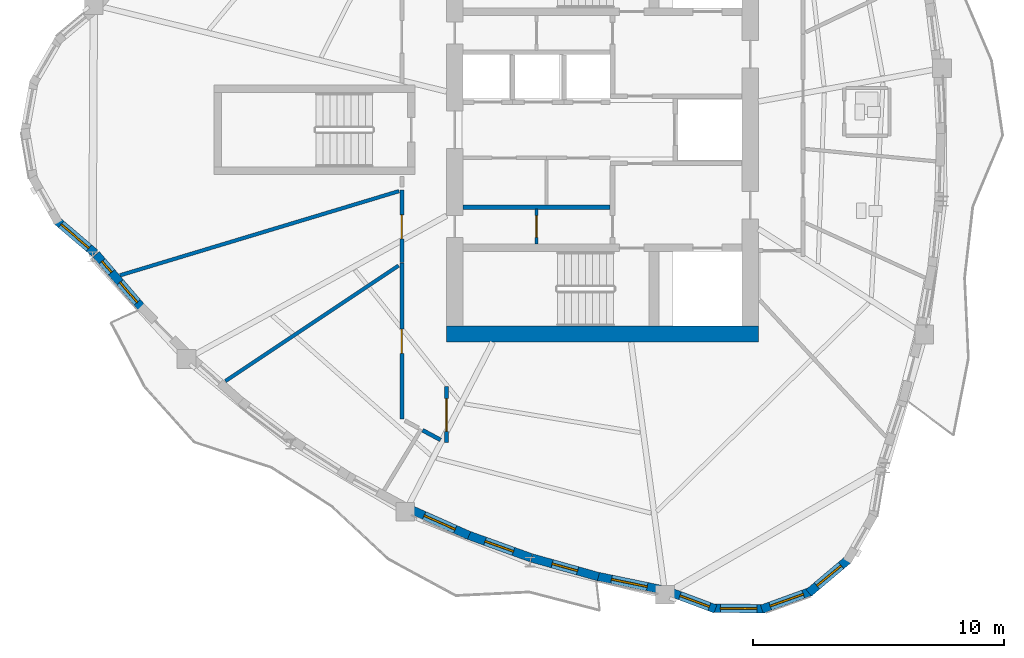
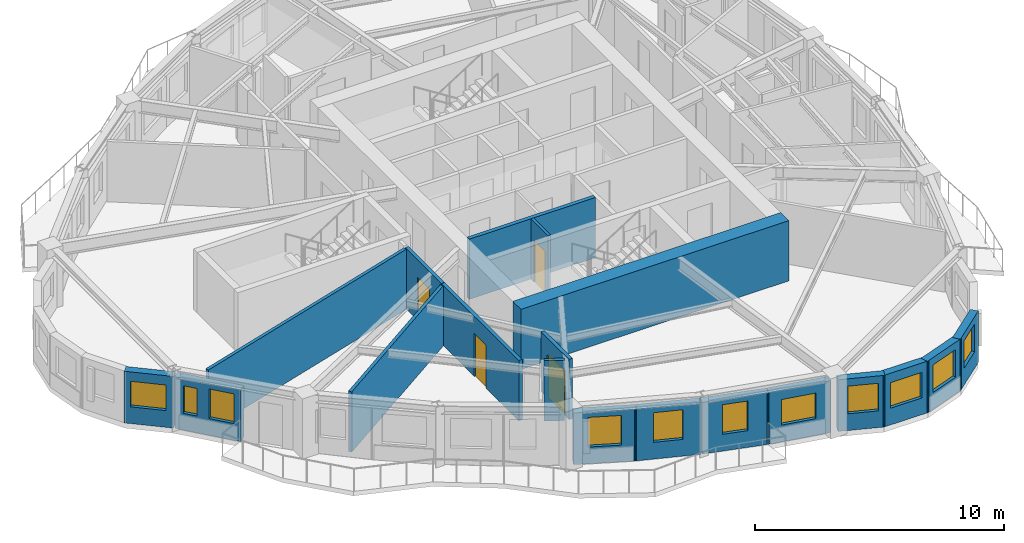
# One storey, part 3 of 12: 19 walls, 11 windows, 4 doors, 15 openings.
"""IFC4 building model written with IfcOpenShell, lengths in metres."""

import ifcopenshell
import ifcopenshell.guid

model = None  # the IFC model being written
_history = None  # IfcOwnerHistory: only IFC2X3 demands one
_inside = {}  # id of a spatial element -> (the spatial element, [elements in it])
_under = {}  # id of a project, library or spatial element -> (it, [spatial elements below it])
_declared = {}  # id of a project -> (the project, [libraries it declares])
_typed = {}  # id of a type object -> (the type object, [elements of that type])
_made_of = {}  # id of a material, layer set ... -> (it, [elements and type objects made of it])


def new_model(schema):
    """Start an empty IFC model of exactly this schema.

    Asked for "IFC4X3", IfcOpenShell would pick the latest addendum, in which some entities
    have other attributes; the version numbers below select the first issue.
    IFC2X3 requires an IfcOwnerHistory on every rooted entity: one is made here for all.
    """
    global model, _history
    if schema == "IFC4X3":
        model = ifcopenshell.file(schema_version=(4, 3, 0, 0))
    else:
        model = ifcopenshell.file(schema=schema)
    _inside.clear()
    _under.clear()
    _declared.clear()
    _typed.clear()
    _made_of.clear()
    _history = None
    if model.schema == "IFC2X3":
        org = make("IfcOrganization", Name="unknown")
        user = make(
            "IfcPersonAndOrganization",
            ThePerson=make("IfcPerson", FamilyName="unknown"),
            TheOrganization=org,
        )
        app = make(
            "IfcApplication",
            ApplicationDeveloper=org,
            Version="unknown",
            ApplicationFullName="unknown",
            ApplicationIdentifier="unknown",
        )
        _history = make(
            "IfcOwnerHistory",
            OwningUser=user,
            OwningApplication=app,
            ChangeAction="ADDED",
            CreationDate=0,
        )
    return model


def make(cls, **values):
    """One entity of the class cls with the attributes given. An attribute that is None is left unset."""
    return model.create_entity(
        cls, **{name: value for name, value in values.items() if value is not None}
    )


def rooted(cls, **values):
    """An entity with a GlobalId (a new one), such as an element, a storey or a relation."""
    return make(cls, GlobalId=ifcopenshell.guid.new(), OwnerHistory=_history, **values)


def si_unit(unit_type, name, prefix=None):
    """IfcSIUnit, for example si_unit("LENGTHUNIT", "METRE", prefix="MILLI")."""
    return make("IfcSIUnit", UnitType=unit_type, Prefix=prefix, Name=name)


def assignment(units):
    """IfcUnitAssignment: the units of a project."""
    return None if units is None else make("IfcUnitAssignment", Units=units)


def point(xyz):
    """IfcCartesianPoint."""
    return None if xyz is None else make("IfcCartesianPoint", Coordinates=xyz)


def direction(xyz):
    """IfcDirection."""
    return None if xyz is None else make("IfcDirection", DirectionRatios=xyz)


def frame(location, z_axis=None, x_axis=None):
    """IfcAxis2Placement3D, a coordinate frame: its origin and axes. An axis left out is left unset."""
    return make(
        "IfcAxis2Placement3D",
        Location=point(location),
        Axis=direction(z_axis),
        RefDirection=direction(x_axis),
    )


def frame_2d(location, x_axis=None):
    """IfcAxis2Placement2D, a coordinate frame in the plane: its origin and x axis."""
    return make(
        "IfcAxis2Placement2D", Location=point(location), RefDirection=direction(x_axis)
    )


def origin():
    """The frame at (0, 0, 0) with its axes left unset."""
    return frame((0.0, 0.0, 0.0))


def place(relative_to, where):
    """IfcLocalPlacement: puts the frame where relative to a parent placement (None: the world)."""
    return make(
        "IfcLocalPlacement", PlacementRelTo=relative_to, RelativePlacement=where
    )


def context(
    kind, dimensions, precision=None, world=None, true_north=None, identifier=None
):
    """IfcGeometricRepresentationContext, for example the 3D "Model" context."""
    return make(
        "IfcGeometricRepresentationContext",
        ContextIdentifier=identifier,
        ContextType=kind,
        CoordinateSpaceDimension=dimensions,
        Precision=precision,
        WorldCoordinateSystem=world,
        TrueNorth=true_north,
    )


def subcontext(parent, identifier, kind, view, scale=None):
    """IfcGeometricRepresentationSubContext, for example "Body" below "Model"."""
    return make(
        "IfcGeometricRepresentationSubContext",
        ContextIdentifier=identifier,
        ContextType=kind,
        ParentContext=parent,
        TargetScale=scale,
        TargetView=view,
    )


def project(units=None, contexts=None):
    """IfcProject with its units and contexts."""
    return rooted(
        "IfcProject",
        Name="project",
        RepresentationContexts=contexts,
        UnitsInContext=assignment(units),
    )


def spatial(cls, under=None, at=None, **own):
    """A site, building, storey or space (cls), placed at a placement, below another one or the project."""
    s = rooted(cls, ObjectPlacement=at, **own)
    if under is not None:
        _under.setdefault(under.id(), (under, []))[1].append(s)
    return s


def profile(cls, at=None, kind="AREA", **sizes):
    """A parametric profile (cls). Its sizes go by their IFC names, for example OverallWidth=200.0."""
    return make(cls, ProfileType=kind, Position=at, **sizes)


def rectangle(**sizes):
    """IfcRectangleProfileDef."""
    return profile("IfcRectangleProfileDef", **sizes)


def extrude(swept, where, along, depth):
    """IfcExtrudedAreaSolid: the profile swept, set in the frame where, extruded along a direction by depth."""
    return make(
        "IfcExtrudedAreaSolid",
        SweptArea=swept,
        Position=where,
        ExtrudedDirection=direction(along),
        Depth=depth,
    )


def shape(context_of_items, identifier, shape_type, items):
    """IfcShapeRepresentation: the items that make up one representation, for example the "Body"."""
    return make(
        "IfcShapeRepresentation",
        ContextOfItems=context_of_items,
        RepresentationIdentifier=identifier,
        RepresentationType=shape_type,
        Items=items,
    )


def source(mapping_origin, context_of_items, identifier, shape_type, items):
    """IfcRepresentationMap: a shape defined once, which mapped items show again and again."""
    return make(
        "IfcRepresentationMap",
        MappingOrigin=mapping_origin,
        MappedRepresentation=shape(context_of_items, identifier, shape_type, items),
    )


def transform(
    local_origin,
    x_axis=None,
    y_axis=None,
    z_axis=None,
    scale=None,
    scale2=None,
    scale3=None,
    uniform=True,
):
    """IfcCartesianTransformationOperator3D, or its non-uniform kind. x_axis, y_axis, z_axis: its Axis1, 2, 3."""
    if uniform:
        return make(
            "IfcCartesianTransformationOperator3D",
            Axis1=direction(x_axis),
            Axis2=direction(y_axis),
            LocalOrigin=point(local_origin),
            Scale=scale,
            Axis3=direction(z_axis),
        )
    return make(
        "IfcCartesianTransformationOperator3DnonUniform",
        Axis1=direction(x_axis),
        Axis2=direction(y_axis),
        LocalOrigin=point(local_origin),
        Scale=scale,
        Axis3=direction(z_axis),
        Scale2=scale2,
        Scale3=scale3,
    )


def mapped(mapping_source, mapping_target):
    """IfcMappedItem: shows the shape of a source again, moved by a transform."""
    return make(
        "IfcMappedItem", MappingSource=mapping_source, MappingTarget=mapping_target
    )


def material(Name=None, Category=None):
    """IfcMaterial."""
    return make("IfcMaterial", Name=Name, Category=Category)


def layer(
    of_material, thickness, ventilated=None, Name=None, Category=None, Priority=None
):
    """IfcMaterialLayer: one layer of a wall or slab, of a material (None: an air gap)."""
    return make(
        "IfcMaterialLayer",
        Material=of_material,
        LayerThickness=thickness,
        IsVentilated=ventilated,
        Name=Name,
        Category=Category,
        Priority=Priority,
    )


def layer_set(layers, Name=None):
    """IfcMaterialLayerSet."""
    return make("IfcMaterialLayerSet", MaterialLayers=layers, LayerSetName=Name)


def made_of(thing, what):
    """Note that an element or type object is made of a material, layer set ...; save() writes the relation."""
    if what is not None:
        _made_of.setdefault(what.id(), (what, []))[1].append(thing)
    return thing


def type_object(cls, material=None, **own):
    """A type object (cls), such as IfcWallType, which elements share."""
    return made_of(rooted(cls, **own), material)


def element(
    cls,
    number,
    at=None,
    inside=None,
    cuts=None,
    type_object=None,
    material=None,
    context=None,
    identifier="Body",
    shape_type=None,
    held_by="IfcProductDefinitionShape",
    body=None,
    shapes=None,
    **own,
):
    """One element of the class cls, such as IfcWall. Its Tag is "e" and its number.

    at: its placement. inside: the storey or other place that contains it. cuts: it is an
    opening in that element (IfcRelVoidsElement). A single representation is given by context,
    identifier, shape_type and body (its items); several are given by shapes. held_by: the class
    of the entity that holds the representations. save() writes the other relations.
    """
    e = rooted(cls, Tag="e%d" % number, ObjectPlacement=at, **own)
    if body is not None:
        shapes = [shape(context, identifier, shape_type, body)]
    if shapes is not None:
        e.Representation = make(held_by, Representations=shapes)
    if inside is not None:
        _inside.setdefault(inside.id(), (inside, []))[1].append(e)
    if cuts is not None:
        rooted(
            "IfcRelVoidsElement", RelatingBuildingElement=cuts, RelatedOpeningElement=e
        )
    if type_object is not None:
        _typed.setdefault(type_object.id(), (type_object, []))[1].append(e)
    return made_of(e, material)


def fill(opening, filler):
    """IfcRelFillsElement: the door or window that sits in an opening."""
    return rooted(
        "IfcRelFillsElement",
        RelatingOpeningElement=opening,
        RelatedBuildingElement=filler,
    )


def aggregate(whole, parts):
    """IfcRelAggregates: a whole, such as a stair, and the parts it consists of."""
    return rooted("IfcRelAggregates", RelatingObject=whole, RelatedObjects=parts)


def save(model, path):
    """Write the relations noted so far, then the file.

    IfcRelAggregates (storeys below a building ...), IfcRelContainedInSpatialStructure (elements
    in a storey), IfcRelDefinesByType, IfcRelAssociatesMaterial and IfcRelDeclares: one each for
    every whole, place, type object, material and project.
    """
    for whole, parts in _under.values():
        aggregate(whole, parts)
    for where, things in _inside.values():
        rooted(
            "IfcRelContainedInSpatialStructure",
            RelatedElements=things,
            RelatingStructure=where,
        )
    for kind, things in _typed.values():
        rooted("IfcRelDefinesByType", RelatedObjects=things, RelatingType=kind)
    for what, things in _made_of.values():
        rooted("IfcRelAssociatesMaterial", RelatedObjects=things, RelatingMaterial=what)
    for by, libraries in _declared.values():
        rooted("IfcRelDeclares", RelatingContext=by, RelatedDefinitions=libraries)
    model.write(path)


model = new_model("IFC4")

# Units and contexts
model_context = context("Model", 3, precision=1e-05, world=origin(), true_north=direction((0.0, 1.0)))
body_context = subcontext(model_context, "Body", "Model", "MODEL_VIEW")
ifc_project = project(units=[si_unit("LENGTHUNIT", "METRE"), si_unit("AREAUNIT", "SQUARE_METRE"), si_unit("VOLUMEUNIT", "CUBIC_METRE"), si_unit("PLANEANGLEUNIT", "RADIAN"), si_unit("MASSUNIT", "GRAM", prefix="KILO")], contexts=[model_context])

# Site, building, storey
site_placement = place(None, origin())
site = spatial("IfcSite", under=ifc_project, at=site_placement, CompositionType="ELEMENT")
building_placement = place(site_placement, origin())
building = spatial("IfcBuilding", under=site, at=building_placement, Name="Qafzar Sky-Pleat Residences", CompositionType="ELEMENT")
storey_placement = place(building_placement, frame((0.0, 0.0, 142.60009765625)))
storey = spatial("IfcBuildingStorey", under=building, at=storey_placement, Name="L42", CompositionType="ELEMENT", Elevation=142.60009765625)

# Wall, opening, door
ifc_material_1 = material(Name="Acoustic gypsum plasterboard partition", Category="gypsum")
ifc_layer_1 = layer(ifc_material_1, 0.159912109375)
ifc_layer_set_1 = layer_set([ifc_layer_1], Name="Acoustic gypsum plasterboard partition")
wall_type_1 = type_object("IfcWallType", Name="PART-COR-160", PredefinedType="PARTITIONING", material=ifc_layer_set_1)
wall_1_placement = place(storey_placement, frame((22.3701171875, 14.49609375, 0.0), z_axis=(0.0, 0.0, 1.0), x_axis=(0.0, 1.0, 0.0)))
wall_1 = element("IfcWall", 1, at=wall_1_placement, inside=storey, type_object=wall_type_1, Name="L42 Partition Wall PART-L42-PW-001", PredefinedType="PARTITIONING", context=body_context, shape_type="SweptSolid", body=[
    extrude(rectangle(XDim=6.202880859375, YDim=0.159912109375, at=frame_2d((3.1015625, 0.0))), origin(), (0.0, 0.0, 1.0), 2.949951171875),
])
opening_1_placement = place(wall_1_placement, frame((2.612548828125, 0.0, 0.0)))
opening_1 = element("IfcOpeningElement", 2, at=opening_1_placement, cuts=wall_1, Name="Opening ID-06", PredefinedType="OPENING", context=body_context, shape_type="SweptSolid", body=[
    extrude(rectangle(XDim=0.9599609375, YDim=2.10009765625, at=frame_2d((0.47998046875, 1.050048828125))), frame((0.0, 0.08984375, 0.0), z_axis=(0.0, -1.0, 0.0), x_axis=(1.0, 0.0, 0.0)), (0.0, 0.0, 1.0), 0.179931640625),
])
ifc_material_2 = material(Name="Timber-faced fire door", Category="wood")
door_type_1 = type_object("IfcDoorType", Name="DR-STD-960", OperationType="NOTDEFINED", PredefinedType="DOOR", material=ifc_material_2)
shared_shape_1 = source(origin(), body_context, "Body", "SweptSolid", [
    extrude(rectangle(XDim=0.9599609375, YDim=2.10009765625, at=frame_2d((0.47998046875, 1.050048828125))), frame((0.0, 0.02490234375, 0.0), z_axis=(0.0, -1.0, 0.0), x_axis=(1.0, 0.0, 0.0)), (0.0, 0.0, 1.0), 0.050048828125),
])
door_1_placement = place(opening_1_placement, origin())
door_1 = element("IfcDoor", 3, at=door_1_placement, inside=storey, type_object=door_type_1, Name="L42 Wellness Yoga Studio Door", OperationType="SINGLE_SWING_LEFT", OverallHeight=2.10009765625, OverallWidth=0.9599609375, PredefinedType="DOOR", context=body_context, shape_type="MappedRepresentation", body=[
    mapped(shared_shape_1, transform((0.0, 0.0, 0.0), x_axis=(1.0, 0.0, 0.0), y_axis=(0.0, 1.0, 0.0), z_axis=(0.0, 0.0, 1.0), scale=1.0)),
])
fill(opening_1, door_1)

wall_2_placement = place(storey_placement, frame((22.3701171875, 20.714111328125, 0.0), z_axis=(0.0, 0.0, 1.0), x_axis=(0.0, 1.0, 0.0)))
wall_2 = element("IfcWall", 4, at=wall_2_placement, inside=storey, type_object=wall_type_1, Name="L42 Partition Wall PART-L42-PW-008", PredefinedType="PARTITIONING", context=body_context, shape_type="SweptSolid", body=[
    extrude(rectangle(XDim=2.893798828125, YDim=0.159912109375, at=frame_2d((1.44677734375, 0.0))), origin(), (0.0, 0.0, 1.0), 2.949951171875),
])
opening_2_placement = place(wall_2_placement, frame((0.9423828125, 0.0, 0.0)))
opening_2 = element("IfcOpeningElement", 5, at=opening_2_placement, cuts=wall_2, Name="Opening ID-06", PredefinedType="OPENING", context=body_context, shape_type="SweptSolid", body=[
    extrude(rectangle(XDim=0.9599609375, YDim=2.10009765625, at=frame_2d((0.47998046875, 1.050048828125))), frame((0.0, 0.08984375, 0.0), z_axis=(0.0, -1.0, 0.0), x_axis=(1.0, 0.0, 0.0)), (0.0, 0.0, 1.0), 0.179931640625),
])
door_2_placement = place(opening_2_placement, origin())
door_2 = element("IfcDoor", 6, at=door_2_placement, inside=storey, type_object=door_type_1, Name="L42 Faculty Research Office Door", OperationType="SINGLE_SWING_RIGHT", OverallHeight=2.10009765625, OverallWidth=0.9599609375, PredefinedType="DOOR", context=body_context, shape_type="MappedRepresentation", body=[
    mapped(shared_shape_1, transform((0.0, 0.0, 0.0), x_axis=(1.0, 0.0, 0.0), y_axis=(0.0, 1.0, 0.0), z_axis=(0.0, 0.0, 1.0), scale=1.0)),
])
fill(opening_2, door_2)

wall_3_placement = place(storey_placement, frame((24.14990234375, 15.7880859375, 0.0), z_axis=(0.0, 0.0, 1.0), x_axis=(0.0, -1.0, 0.0)))
wall_3 = element("IfcWall", 7, at=wall_3_placement, inside=storey, type_object=wall_type_1, Name="L42 Partition Wall PART-L42-PW-011", PredefinedType="PARTITIONING", context=body_context, shape_type="SweptSolid", body=[
    extrude(rectangle(XDim=2.231201171875, YDim=0.159912109375, at=frame_2d((1.11572265625, 0.0))), origin(), (0.0, 0.0, 1.0), 2.949951171875),
])
opening_3_placement = place(wall_3_placement, frame((0.47998046875, 0.0, 0.0)))
opening_3 = element("IfcOpeningElement", 8, at=opening_3_placement, cuts=wall_3, Name="Opening ID-05", PredefinedType="OPENING", context=body_context, shape_type="SweptSolid", body=[
    extrude(rectangle(XDim=1.300048828125, YDim=2.10009765625, at=frame_2d((0.64990234375, 1.050048828125))), frame((0.0, 0.08984375, 0.0), z_axis=(0.0, -1.0, 0.0), x_axis=(1.0, 0.0, 0.0)), (0.0, 0.0, 1.0), 0.179931640625),
])
door_type_2 = type_object("IfcDoorType", Name="DR-LNG-1300", OperationType="DOUBLE_DOOR_SINGLE_SWING", PredefinedType="DOOR", material=ifc_material_2)
shared_shape_2 = source(origin(), body_context, "Body", "SweptSolid", [
    extrude(rectangle(XDim=1.300048828125, YDim=2.10009765625, at=frame_2d((0.64990234375, 1.050048828125))), frame((0.0, 0.02490234375, 0.0), z_axis=(0.0, -1.0, 0.0), x_axis=(1.0, 0.0, 0.0)), (0.0, 0.0, 1.0), 0.050048828125),
])
door_3_placement = place(opening_3_placement, origin())
door_3 = element("IfcDoor", 9, at=door_3_placement, inside=storey, type_object=door_type_2, Name="L42 Academic Seminar Room Door", OperationType="DOUBLE_DOOR_SINGLE_SWING", OverallHeight=2.10009765625, OverallWidth=1.300048828125, PredefinedType="DOOR", context=body_context, shape_type="MappedRepresentation", body=[
    mapped(shared_shape_2, transform((0.0, 0.0, 0.0), x_axis=(1.0, 0.0, 0.0), y_axis=(0.0, 1.0, 0.0), z_axis=(0.0, 0.0, 1.0), scale=1.0)),
])
fill(opening_3, door_3)

# Walls
wall_4_placement = place(storey_placement, frame((23.1962890625, 14.0498046875, 0.0), z_axis=(0.0, 0.0, 1.0), x_axis=(0.880125284311, -0.474741491673, 0.0)))
element("IfcWall", 10, at=wall_4_placement, inside=storey, type_object=wall_type_1, Name="L42 Partition Wall PART-L42-PW-040", PredefinedType="PARTITIONING", context=body_context, shape_type="SweptSolid", body=[
    extrude(rectangle(XDim=0.816650390625, YDim=0.159912109375, at=frame_2d((0.408203125, 0.0))), origin(), (0.0, 0.0, 1.0), 2.949951171875),
])
ifc_material_3 = material(Name="Concrete blockwork partition", Category="masonry")
ifc_layer_2 = layer(ifc_material_3, 0.179931640625)
ifc_layer_set_2 = layer_set([ifc_layer_2], Name="Concrete blockwork partition")
wall_type_2 = type_object("IfcWallType", Name="PART-SHAFT-180", PredefinedType="PARTITIONING", material=ifc_layer_set_2)
wall_5_placement = place(storey_placement, frame((24.81005859375, 22.919921875, 0.0), z_axis=(0.0, 0.0, 1.0), x_axis=(1.0, 0.0, 0.0)))
element("IfcWall", 11, at=wall_5_placement, inside=storey, type_object=wall_type_2, Name="L42 Partition Wall PART-L42-P13-S", PredefinedType="PARTITIONING", context=body_context, shape_type="SweptSolid", body=[
    extrude(rectangle(XDim=5.83984375, YDim=0.179931640625, at=frame_2d((2.919921875, 0.0))), origin(), (0.0, 0.0, 1.0), 2.949951171875),
])

# Wall, opening, door
ifc_material_4 = material(Name="Gypsum plasterboard partition", Category="gypsum")
ifc_layer_3 = layer(ifc_material_4, 0.114990234375)
ifc_layer_set_3 = layer_set([ifc_layer_3], Name="Gypsum plasterboard partition")
wall_type_3 = type_object("IfcWallType", Name="PART-SVC-115", PredefinedType="PARTITIONING", material=ifc_layer_set_3)
wall_6_placement = place(storey_placement, frame((27.72509765625, 21.4599609375, 0.0), z_axis=(0.0, 0.0, 1.0), x_axis=(0.0, 1.0, 0.0)))
wall_6 = element("IfcWall", 12, at=wall_6_placement, inside=storey, type_object=wall_type_3, Name="L42 Partition Wall PART-L42-KB-SW", PredefinedType="PARTITIONING", context=body_context, shape_type="SweptSolid", body=[
    extrude(rectangle(XDim=1.380126953125, YDim=0.114990234375, at=frame_2d((0.68994140625, 0.0))), origin(), (0.0, 0.0, 1.0), 2.949951171875),
])
opening_4_placement = place(wall_6_placement, frame((0.260009765625, 0.0, 0.0)))
opening_4 = element("IfcOpeningElement", 13, at=opening_4_placement, cuts=wall_6, Name="Opening ID-09", PredefinedType="OPENING", context=body_context, shape_type="SweptSolid", body=[
    extrude(rectangle(XDim=0.860107421875, YDim=2.050048828125, at=frame_2d((0.43017578125, 1.02490234375))), frame((0.0, 0.0673828125, 0.0), z_axis=(0.0, -1.0, 0.0), x_axis=(1.0, 0.0, 0.0)), (0.0, 0.0, 1.0), 0.135009765625),
])
door_type_3 = type_object("IfcDoorType", Name="DR-SVC-860", OperationType="NOTDEFINED", PredefinedType="DOOR", material=ifc_material_2)
shared_shape_3 = source(origin(), body_context, "Body", "SweptSolid", [
    extrude(rectangle(XDim=0.860107421875, YDim=2.050048828125, at=frame_2d((0.43017578125, 1.02490234375))), frame((0.0, 0.02490234375, 0.0), z_axis=(0.0, -1.0, 0.0), x_axis=(1.0, 0.0, 0.0)), (0.0, 0.0, 1.0), 0.050048828125),
])
door_4_placement = place(opening_4_placement, origin())
door_4 = element("IfcDoor", 14, at=door_4_placement, inside=storey, type_object=door_type_3, Name="L42 BMS Metering Cupboard Door", OperationType="SINGLE_SWING_LEFT", OverallHeight=2.050048828125, OverallWidth=0.860107421875, PredefinedType="DOOR", context=body_context, shape_type="MappedRepresentation", body=[
    mapped(shared_shape_3, transform((0.0, 0.0, 0.0), x_axis=(1.0, 0.0, 0.0), y_axis=(0.0, 1.0, 0.0), z_axis=(0.0, 0.0, 1.0), scale=1.0)),
])
fill(opening_4, door_4)

# Walls
ifc_layer_4 = layer(ifc_material_1, 0.14501953125)
ifc_layer_set_4 = layer_set([ifc_layer_4], Name="Acoustic gypsum plasterboard partition")
wall_type_4 = type_object("IfcWallType", Name="PART-UNIT-145", PredefinedType="PARTITIONING", material=ifc_layer_set_4)
wall_7_placement = place(storey_placement, frame((11.165283203125, 20.210693359375, 0.0), z_axis=(0.0, 0.0, 1.0), x_axis=(0.957361241888, 0.288893496865, 0.0)))
element("IfcWall", 15, at=wall_7_placement, inside=storey, type_object=wall_type_4, Name="L42 Partition Wall PART-L42-PW-015", PredefinedType="PARTITIONING", context=body_context, shape_type="SweptSolid", body=[
    extrude(rectangle(XDim=11.59033203125, YDim=0.14501953125, at=frame_2d((5.795166015625, 0.0))), origin(), (0.0, 0.0, 1.0), 2.949951171875),
])
wall_8_placement = place(storey_placement, frame((15.355224609375, 16.0048828125, 0.0), z_axis=(0.0, 0.0, 1.0), x_axis=(0.83207298021, 0.55466616591, 0.0)))
element("IfcWall", 16, at=wall_8_placement, inside=storey, type_object=wall_type_4, Name="L42 Partition Wall PART-L42-PW-017", PredefinedType="PARTITIONING", context=body_context, shape_type="SweptSolid", body=[
    extrude(rectangle(XDim=8.278076171875, YDim=0.14501953125, at=frame_2d((4.13916015625, 0.0))), origin(), (0.0, 0.0, 1.0), 2.949951171875),
])

# Wall, opening, window
ifc_material_5 = material(Name="Precast concrete C40/50 with honed Riyadh limestone", Category="concrete")
ifc_layer_5 = layer(ifc_material_5, 0.340087890625)
ifc_layer_set_5 = layer_set([ifc_layer_5], Name="Precast concrete C40/50 with honed Riyadh limestone")
wall_type_5 = type_object("IfcWallType", Name="WALL-EXT-340", PredefinedType="SOLIDWALL", material=ifc_layer_set_5)
wall_9_placement = place(storey_placement, frame((8.62744140625, 22.406005859375, 0.0), z_axis=(0.0, 0.0, 1.0), x_axis=(0.760379886087, -0.649478582276, 0.0)))
wall_9 = element("IfcWall", 17, at=wall_9_placement, inside=storey, type_object=wall_type_5, Name="L42 Limestone Facade Wall 6", PredefinedType="SOLIDWALL", context=body_context, shape_type="SweptSolid", body=[
    extrude(rectangle(XDim=2.023193359375, YDim=0.340087890625, at=frame_2d((1.01171875, 0.0))), origin(), (0.0, 0.0, 1.0), 2.52978515625),
])
opening_5_placement = place(wall_9_placement, frame((0.256591796875, 0.0, 0.820068359375)))
opening_5 = element("IfcOpeningElement", 18, at=opening_5_placement, cuts=wall_9, Name="Opening WN-15", PredefinedType="OPENING", context=body_context, shape_type="SweptSolid", body=[
    extrude(rectangle(XDim=1.449951171875, YDim=1.25, at=frame_2d((0.72509765625, 0.625))), frame((0.0, 0.18017578125, 0.0), z_axis=(0.0, -1.0, 0.0), x_axis=(1.0, 0.0, 0.0)), (0.0, 0.0, 1.0), 0.360107421875),
])
ifc_material_6 = material(Name="Solar-control low-E glass in bronze aluminium frame", Category="glass")
window_type_1 = type_object("IfcWindowType", Name="WIN-15", PartitioningType="SINGLE_PANEL", PredefinedType="WINDOW", material=ifc_material_6)
shared_shape_4 = source(origin(), body_context, "Body", "SweptSolid", [
    extrude(rectangle(XDim=1.449951171875, YDim=1.25, at=frame_2d((0.72509765625, 0.625))), frame((0.0, 0.030029296875, 0.0), z_axis=(0.0, -1.0, 0.0), x_axis=(1.0, 0.0, 0.0)), (0.0, 0.0, 1.0), 0.06005859375),
])
window_1_placement = place(opening_5_placement, origin())
window_1 = element("IfcWindow", 19, at=window_1_placement, inside=storey, type_object=window_type_1, Name="L42 Punched Facade Window 06", OverallHeight=1.25, OverallWidth=1.449951171875, PartitioningType="SINGLE_PANEL", PredefinedType="WINDOW", context=body_context, shape_type="MappedRepresentation", body=[
    mapped(shared_shape_4, transform((0.0, 0.0, 0.0), x_axis=(1.0, 0.0, 0.0), y_axis=(0.0, 1.0, 0.0), z_axis=(0.0, 0.0, 1.0), scale=1.0)),
])
fill(opening_5, window_1)

# Wall, openings, windows
wall_10_placement = place(storey_placement, frame((10.212646484375, 21.045166015625, 0.0), z_axis=(0.0, 0.0, 1.0), x_axis=(0.65036245252, -0.759624038819, 0.0)))
wall_10 = element("IfcWall", 20, at=wall_10_placement, inside=storey, type_object=wall_type_5, Name="L42 Limestone Facade Wall 7", PredefinedType="SOLIDWALL", context=body_context, shape_type="SweptSolid", body=[
    extrude(rectangle(XDim=2.813232421875, YDim=0.340087890625, at=frame_2d((1.40673828125, 0.0))), origin(), (0.0, 0.0, 1.0), 2.52978515625),
])
opening_6_placement = place(wall_10_placement, frame((0.362060546875, 0.0, 0.820068359375)))
opening_6 = element("IfcOpeningElement", 21, at=opening_6_placement, cuts=wall_10, Name="Opening WN-17", PredefinedType="OPENING", context=body_context, shape_type="SweptSolid", body=[
    extrude(rectangle(XDim=0.580078125, YDim=1.35009765625, at=frame_2d((0.2900390625, 0.675048828125))), frame((0.0, 0.18017578125, 0.0), z_axis=(0.0, -1.0, 0.0), x_axis=(1.0, 0.0, 0.0)), (0.0, 0.0, 1.0), 0.360107421875),
])
opening_7_placement = place(wall_10_placement, frame((1.46337890625, 0.0, 0.820068359375)))
opening_7 = element("IfcOpeningElement", 22, at=opening_7_placement, cuts=wall_10, Name="Opening WN-06", PredefinedType="OPENING", context=body_context, shape_type="SweptSolid", body=[
    extrude(rectangle(XDim=1.050048828125, YDim=1.449951171875, at=frame_2d((0.52490234375, 0.72509765625))), frame((0.0, 0.18017578125, 0.0), z_axis=(0.0, -1.0, 0.0), x_axis=(1.0, 0.0, 0.0)), (0.0, 0.0, 1.0), 0.360107421875),
])
window_type_2 = type_object("IfcWindowType", Name="WIN-17", PartitioningType="SINGLE_PANEL", PredefinedType="WINDOW", material=ifc_material_6)
shared_shape_5 = source(origin(), body_context, "Body", "SweptSolid", [
    extrude(rectangle(XDim=0.580078125, YDim=1.35009765625, at=frame_2d((0.2900390625, 0.675048828125))), frame((0.0, 0.030029296875, 0.0), z_axis=(0.0, -1.0, 0.0), x_axis=(1.0, 0.0, 0.0)), (0.0, 0.0, 1.0), 0.06005859375),
])
window_2_placement = place(opening_6_placement, origin())
window_2 = element("IfcWindow", 23, at=window_2_placement, inside=storey, type_object=window_type_2, Name="L42 Punched Facade Window 07", OverallHeight=1.35009765625, OverallWidth=0.580078125, PartitioningType="SINGLE_PANEL", PredefinedType="WINDOW", context=body_context, shape_type="MappedRepresentation", body=[
    mapped(shared_shape_5, transform((0.0, 0.0, 0.0), x_axis=(1.0, 0.0, 0.0), y_axis=(0.0, 1.0, 0.0), z_axis=(0.0, 0.0, 1.0), scale=1.0)),
])
fill(opening_6, window_2)
window_type_3 = type_object("IfcWindowType", Name="WIN-06", PartitioningType="SINGLE_PANEL", PredefinedType="WINDOW", material=ifc_material_6)
shared_shape_6 = source(origin(), body_context, "Body", "SweptSolid", [
    extrude(rectangle(XDim=1.050048828125, YDim=1.449951171875, at=frame_2d((0.52490234375, 0.72509765625))), frame((0.0, 0.030029296875, 0.0), z_axis=(0.0, -1.0, 0.0), x_axis=(1.0, 0.0, 0.0)), (0.0, 0.0, 1.0), 0.06005859375),
])
window_3_placement = place(opening_7_placement, origin())
window_3 = element("IfcWindow", 24, at=window_3_placement, inside=storey, type_object=window_type_3, Name="L42 Punched Facade Window 07-2", OverallHeight=1.449951171875, OverallWidth=1.050048828125, PartitioningType="SINGLE_PANEL", PredefinedType="WINDOW", context=body_context, shape_type="MappedRepresentation", body=[
    mapped(shared_shape_6, transform((0.0, 0.0, 0.0), x_axis=(1.0, 0.0, 0.0), y_axis=(0.0, 1.0, 0.0), z_axis=(0.0, 0.0, 1.0), scale=1.0)),
])
fill(opening_7, window_3)

# Wall, opening, window
wall_11_placement = place(storey_placement, frame((22.72021484375, 10.898681640625, 0.0), z_axis=(0.0, 0.0, 1.0), x_axis=(0.913229052506, -0.407446558041, 0.0)))
wall_11 = element("IfcWall", 25, at=wall_11_placement, inside=storey, type_object=wall_type_5, Name="L42 Limestone Facade Wall 13", PredefinedType="SOLIDWALL", context=body_context, shape_type="SweptSolid", body=[
    extrude(rectangle(XDim=2.544677734375, YDim=0.340087890625, at=frame_2d((1.2724609375, 0.0))), origin(), (0.0, 0.0, 1.0), 2.52978515625),
])
opening_8_placement = place(wall_11_placement, frame((0.59228515625, 0.0, 0.820068359375)))
opening_8 = element("IfcOpeningElement", 26, at=opening_8_placement, cuts=wall_11, Name="Opening WN-04", PredefinedType="OPENING", context=body_context, shape_type="SweptSolid", body=[
    extrude(rectangle(XDim=1.35009765625, YDim=1.449951171875, at=frame_2d((0.675048828125, 0.72509765625))), frame((0.0, 0.18017578125, 0.0), z_axis=(0.0, -1.0, 0.0), x_axis=(1.0, 0.0, 0.0)), (0.0, 0.0, 1.0), 0.360107421875),
])
window_type_4 = type_object("IfcWindowType", Name="WIN-04", PartitioningType="SINGLE_PANEL", PredefinedType="WINDOW", material=ifc_material_6)
shared_shape_7 = source(origin(), body_context, "Body", "SweptSolid", [
    extrude(rectangle(XDim=1.35009765625, YDim=1.449951171875, at=frame_2d((0.675048828125, 0.72509765625))), frame((0.0, 0.030029296875, 0.0), z_axis=(0.0, -1.0, 0.0), x_axis=(1.0, 0.0, 0.0)), (0.0, 0.0, 1.0), 0.06005859375),
])
window_4_placement = place(opening_8_placement, origin())
window_4 = element("IfcWindow", 27, at=window_4_placement, inside=storey, type_object=window_type_4, Name="L42 Punched Facade Window 13", OverallHeight=1.449951171875, OverallWidth=1.35009765625, PartitioningType="SINGLE_PANEL", PredefinedType="WINDOW", context=body_context, shape_type="MappedRepresentation", body=[
    mapped(shared_shape_7, transform((0.0, 0.0, 0.0), x_axis=(1.0, 0.0, 0.0), y_axis=(0.0, 1.0, 0.0), z_axis=(0.0, 0.0, 1.0), scale=1.0)),
])
fill(opening_8, window_4)

wall_12_placement = place(storey_placement, frame((24.9619140625, 9.894775390625, 0.0), z_axis=(0.0, 0.0, 1.0), x_axis=(0.940882818042, -0.338732228632, 0.0)))
wall_12 = element("IfcWall", 28, at=wall_12_placement, inside=storey, type_object=wall_type_5, Name="L42 Limestone Facade Wall 14", PredefinedType="SOLIDWALL", context=body_context, shape_type="SweptSolid", body=[
    extrude(rectangle(XDim=2.7099609375, YDim=0.340087890625, at=frame_2d((1.35498046875, 0.0))), origin(), (0.0, 0.0, 1.0), 2.52978515625),
])
opening_9_placement = place(wall_12_placement, frame((0.764892578125, 0.0, 0.820068359375)))
opening_9 = element("IfcOpeningElement", 29, at=opening_9_placement, cuts=wall_12, Name="Opening WN-05", PredefinedType="OPENING", context=body_context, shape_type="SweptSolid", body=[
    extrude(rectangle(XDim=1.199951171875, YDim=1.449951171875, at=frame_2d((0.60009765625, 0.72509765625))), frame((0.0, 0.18017578125, 0.0), z_axis=(0.0, -1.0, 0.0), x_axis=(1.0, 0.0, 0.0)), (0.0, 0.0, 1.0), 0.360107421875),
])
window_type_5 = type_object("IfcWindowType", Name="WIN-05", PartitioningType="SINGLE_PANEL", PredefinedType="WINDOW", material=ifc_material_6)
shared_shape_8 = source(origin(), body_context, "Body", "SweptSolid", [
    extrude(rectangle(XDim=1.199951171875, YDim=1.449951171875, at=frame_2d((0.60009765625, 0.72509765625))), frame((0.0, 0.030029296875, 0.0), z_axis=(0.0, -1.0, 0.0), x_axis=(1.0, 0.0, 0.0)), (0.0, 0.0, 1.0), 0.06005859375),
])
window_5_placement = place(opening_9_placement, origin())
window_5 = element("IfcWindow", 30, at=window_5_placement, inside=storey, type_object=window_type_5, Name="L42 Punched Facade Window 14", OverallHeight=1.449951171875, OverallWidth=1.199951171875, PartitioningType="SINGLE_PANEL", PredefinedType="WINDOW", context=body_context, shape_type="MappedRepresentation", body=[
    mapped(shared_shape_8, transform((0.0, 0.0, 0.0), x_axis=(1.0, 0.0, 0.0), y_axis=(0.0, 1.0, 0.0), z_axis=(0.0, 0.0, 1.0), scale=1.0)),
])
fill(opening_9, window_5)

wall_13_placement = place(storey_placement, frame((27.5380859375, 8.968505859375, 0.0), z_axis=(0.0, 0.0, 1.0), x_axis=(0.962899562324, -0.2698600246, 0.0)))
wall_13 = element("IfcWall", 31, at=wall_13_placement, inside=storey, type_object=wall_type_5, Name="L42 Limestone Facade Wall 15", PredefinedType="SOLIDWALL", context=body_context, shape_type="SweptSolid", body=[
    extrude(rectangle(XDim=2.7548828125, YDim=0.340087890625, at=frame_2d((1.37744140625, 0.0))), origin(), (0.0, 0.0, 1.0), 2.52978515625),
])
opening_10_placement = place(wall_13_placement, frame((0.84228515625, 0.0, 0.820068359375)))
opening_10 = element("IfcOpeningElement", 32, at=opening_10_placement, cuts=wall_13, Name="Opening WN-06", PredefinedType="OPENING", context=body_context, shape_type="SweptSolid", body=[
    extrude(rectangle(XDim=1.050048828125, YDim=1.449951171875, at=frame_2d((0.52490234375, 0.72509765625))), frame((0.0, 0.18017578125, 0.0), z_axis=(0.0, -1.0, 0.0), x_axis=(1.0, 0.0, 0.0)), (0.0, 0.0, 1.0), 0.360107421875),
])
window_6_placement = place(opening_10_placement, origin())
window_6 = element("IfcWindow", 33, at=window_6_placement, inside=storey, type_object=window_type_3, Name="L42 Punched Facade Window 15", OverallHeight=1.449951171875, OverallWidth=1.050048828125, PartitioningType="SINGLE_PANEL", PredefinedType="WINDOW", context=body_context, shape_type="MappedRepresentation", body=[
    mapped(shared_shape_6, transform((0.0, 0.0, 0.0), x_axis=(1.0, 0.0, 0.0), y_axis=(0.0, 1.0, 0.0), z_axis=(0.0, 0.0, 1.0), scale=1.0)),
])
fill(opening_10, window_6)

wall_14_placement = place(storey_placement, frame((30.105224609375, 8.245849609375, 0.0), z_axis=(0.0, 0.0, 1.0), x_axis=(0.979327098925, -0.202283052454, 0.0)))
wall_14 = element("IfcWall", 34, at=wall_14_placement, inside=storey, type_object=wall_type_5, Name="L42 Limestone Facade Wall 16", PredefinedType="SOLIDWALL", context=body_context, shape_type="SweptSolid", body=[
    extrude(rectangle(XDim=2.67822265625, YDim=0.340087890625, at=frame_2d((1.339111328125, 0.0))), origin(), (0.0, 0.0, 1.0), 2.52978515625),
])
opening_11_placement = place(wall_14_placement, frame((0.619140625, 0.0, 0.820068359375)))
opening_11 = element("IfcOpeningElement", 35, at=opening_11_placement, cuts=wall_14, Name="Opening WN-15", PredefinedType="OPENING", context=body_context, shape_type="SweptSolid", body=[
    extrude(rectangle(XDim=1.449951171875, YDim=1.25, at=frame_2d((0.72509765625, 0.625))), frame((0.0, 0.18017578125, 0.0), z_axis=(0.0, -1.0, 0.0), x_axis=(1.0, 0.0, 0.0)), (0.0, 0.0, 1.0), 0.360107421875),
])
window_7_placement = place(opening_11_placement, origin())
window_7 = element("IfcWindow", 36, at=window_7_placement, inside=storey, type_object=window_type_1, Name="L42 Punched Facade Window 16", OverallHeight=1.25, OverallWidth=1.449951171875, PartitioningType="SINGLE_PANEL", PredefinedType="WINDOW", context=body_context, shape_type="MappedRepresentation", body=[
    mapped(shared_shape_4, transform((0.0, 0.0, 0.0), x_axis=(1.0, 0.0, 0.0), y_axis=(0.0, 1.0, 0.0), z_axis=(0.0, 0.0, 1.0), scale=1.0)),
])
fill(opening_11, window_7)

wall_15_placement = place(storey_placement, frame((33.050048828125, 7.611328125, 0.0), z_axis=(0.0, 0.0, 1.0), x_axis=(0.936898854489, -0.349600538411, 0.0)))
wall_15 = element("IfcWall", 37, at=wall_15_placement, inside=storey, type_object=wall_type_5, Name="L42 Limestone Facade Wall 17", PredefinedType="SOLIDWALL", context=body_context, shape_type="SweptSolid", body=[
    extrude(rectangle(XDim=1.91552734375, YDim=0.340087890625, at=frame_2d((0.957763671875, 0.0))), origin(), (0.0, 0.0, 1.0), 2.52978515625),
])
opening_12_placement = place(wall_15_placement, frame((0.40771484375, 0.0, 0.820068359375)))
opening_12 = element("IfcOpeningElement", 38, at=opening_12_placement, cuts=wall_15, Name="Opening WN-11", PredefinedType="OPENING", context=body_context, shape_type="SweptSolid", body=[
    extrude(rectangle(XDim=1.25, YDim=1.35009765625, at=frame_2d((0.625, 0.675048828125))), frame((0.0, 0.18017578125, 0.0), z_axis=(0.0, -1.0, 0.0), x_axis=(1.0, 0.0, 0.0)), (0.0, 0.0, 1.0), 0.360107421875),
])
window_type_6 = type_object("IfcWindowType", Name="WIN-11", PartitioningType="SINGLE_PANEL", PredefinedType="WINDOW", material=ifc_material_6)
shared_shape_9 = source(origin(), body_context, "Body", "SweptSolid", [
    extrude(rectangle(XDim=1.25, YDim=1.35009765625, at=frame_2d((0.625, 0.675048828125))), frame((0.0, 0.030029296875, 0.0), z_axis=(0.0, -1.0, 0.0), x_axis=(1.0, 0.0, 0.0)), (0.0, 0.0, 1.0), 0.06005859375),
])
window_8_placement = place(opening_12_placement, origin())
window_8 = element("IfcWindow", 39, at=window_8_placement, inside=storey, type_object=window_type_6, Name="L42 Punched Facade Window 17", OverallHeight=1.35009765625, OverallWidth=1.25, PartitioningType="SINGLE_PANEL", PredefinedType="WINDOW", context=body_context, shape_type="MappedRepresentation", body=[
    mapped(shared_shape_9, transform((0.0, 0.0, 0.0), x_axis=(1.0, 0.0, 0.0), y_axis=(0.0, 1.0, 0.0), z_axis=(0.0, 0.0, 1.0), scale=1.0)),
])
fill(opening_12, window_8)

wall_16_placement = place(storey_placement, frame((34.712646484375, 6.9658203125, 0.0), z_axis=(0.0, 0.0, 1.0), x_axis=(0.999988733097, -0.004746965157, 0.0)))
wall_16 = element("IfcWall", 40, at=wall_16_placement, inside=storey, type_object=wall_type_5, Name="L42 Limestone Facade Wall 18", PredefinedType="SOLIDWALL", context=body_context, shape_type="SweptSolid", body=[
    extrude(rectangle(XDim=2.108642578125, YDim=0.340087890625, at=frame_2d((1.05419921875, 0.0))), origin(), (0.0, 0.0, 1.0), 2.52978515625),
])
opening_13_placement = place(wall_16_placement, frame((0.329345703125, 0.0, 0.820068359375)))
opening_13 = element("IfcOpeningElement", 41, at=opening_13_placement, cuts=wall_16, Name="Opening WN-15", PredefinedType="OPENING", context=body_context, shape_type="SweptSolid", body=[
    extrude(rectangle(XDim=1.449951171875, YDim=1.25, at=frame_2d((0.72509765625, 0.625))), frame((0.0, 0.18017578125, 0.0), z_axis=(0.0, -1.0, 0.0), x_axis=(1.0, 0.0, 0.0)), (0.0, 0.0, 1.0), 0.360107421875),
])
window_9_placement = place(opening_13_placement, origin())
window_9 = element("IfcWindow", 42, at=window_9_placement, inside=storey, type_object=window_type_1, Name="L42 Punched Facade Window 18", OverallHeight=1.25, OverallWidth=1.449951171875, PartitioningType="SINGLE_PANEL", PredefinedType="WINDOW", context=body_context, shape_type="MappedRepresentation", body=[
    mapped(shared_shape_4, transform((0.0, 0.0, 0.0), x_axis=(1.0, 0.0, 0.0), y_axis=(0.0, 1.0, 0.0), z_axis=(0.0, 0.0, 1.0), scale=1.0)),
])
fill(opening_13, window_9)

wall_17_placement = place(storey_placement, frame((36.68896484375, 6.932861328125, 0.0), z_axis=(0.0, 0.0, 1.0), x_axis=(0.94022877886, 0.340543453033, 0.0)))
wall_17 = element("IfcWall", 43, at=wall_17_placement, inside=storey, type_object=wall_type_5, Name="L42 Limestone Facade Wall 19", PredefinedType="SOLIDWALL", context=body_context, shape_type="SweptSolid", body=[
    extrude(rectangle(XDim=2.1083984375, YDim=0.340087890625, at=frame_2d((1.05419921875, 0.0))), origin(), (0.0, 0.0, 1.0), 2.52978515625),
])
opening_14_placement = place(wall_17_placement, frame((0.354248046875, 0.0, 0.820068359375)))
opening_14 = element("IfcOpeningElement", 44, at=opening_14_placement, cuts=wall_17, Name="Opening WN-10", PredefinedType="OPENING", context=body_context, shape_type="SweptSolid", body=[
    extrude(rectangle(XDim=1.39990234375, YDim=1.35009765625, at=frame_2d((0.699951171875, 0.675048828125))), frame((0.0, 0.18017578125, 0.0), z_axis=(0.0, -1.0, 0.0), x_axis=(1.0, 0.0, 0.0)), (0.0, 0.0, 1.0), 0.360107421875),
])
window_type_7 = type_object("IfcWindowType", Name="WIN-10", PartitioningType="SINGLE_PANEL", PredefinedType="WINDOW", material=ifc_material_6)
shared_shape_10 = source(origin(), body_context, "Body", "SweptSolid", [
    extrude(rectangle(XDim=1.39990234375, YDim=1.35009765625, at=frame_2d((0.699951171875, 0.675048828125))), frame((0.0, 0.030029296875, 0.0), z_axis=(0.0, -1.0, 0.0), x_axis=(1.0, 0.0, 0.0)), (0.0, 0.0, 1.0), 0.06005859375),
])
window_10_placement = place(opening_14_placement, origin())
window_10 = element("IfcWindow", 45, at=window_10_placement, inside=storey, type_object=window_type_7, Name="L42 Punched Facade Window 19", OverallHeight=1.35009765625, OverallWidth=1.39990234375, PartitioningType="SINGLE_PANEL", PredefinedType="WINDOW", context=body_context, shape_type="MappedRepresentation", body=[
    mapped(shared_shape_10, transform((0.0, 0.0, 0.0), x_axis=(1.0, 0.0, 0.0), y_axis=(0.0, 1.0, 0.0), z_axis=(0.0, 0.0, 1.0), scale=1.0)),
])
fill(opening_14, window_10)

wall_18_placement = place(storey_placement, frame((38.55517578125, 7.58349609375, 0.0), z_axis=(0.0, 0.0, 1.0), x_axis=(0.764956232097, 0.644082264137, 0.0)))
wall_18 = element("IfcWall", 46, at=wall_18_placement, inside=storey, type_object=wall_type_5, Name="L42 Limestone Facade Wall 20", PredefinedType="SOLIDWALL", context=body_context, shape_type="SweptSolid", body=[
    extrude(rectangle(XDim=2.108642578125, YDim=0.340087890625, at=frame_2d((1.05419921875, 0.0))), origin(), (0.0, 0.0, 1.0), 2.52978515625),
])
opening_15_placement = place(wall_18_placement, frame((0.42919921875, 0.0, 0.820068359375)))
opening_15 = element("IfcOpeningElement", 47, at=opening_15_placement, cuts=wall_18, Name="Opening WN-11", PredefinedType="OPENING", context=body_context, shape_type="SweptSolid", body=[
    extrude(rectangle(XDim=1.25, YDim=1.35009765625, at=frame_2d((0.625, 0.675048828125))), frame((0.0, 0.18017578125, 0.0), z_axis=(0.0, -1.0, 0.0), x_axis=(1.0, 0.0, 0.0)), (0.0, 0.0, 1.0), 0.360107421875),
])
window_11_placement = place(opening_15_placement, origin())
window_11 = element("IfcWindow", 48, at=window_11_placement, inside=storey, type_object=window_type_6, Name="L42 Punched Facade Window 20", OverallHeight=1.35009765625, OverallWidth=1.25, PartitioningType="SINGLE_PANEL", PredefinedType="WINDOW", context=body_context, shape_type="MappedRepresentation", body=[
    mapped(shared_shape_9, transform((0.0, 0.0, 0.0), x_axis=(1.0, 0.0, 0.0), y_axis=(0.0, 1.0, 0.0), z_axis=(0.0, 0.0, 1.0), scale=1.0)),
])
fill(opening_15, window_11)

# Wall
ifc_material_7 = material(Name="Concrete C60/75", Category="concrete")
ifc_layer_6 = layer(ifc_material_7, 0.64990234375)
ifc_layer_set_6 = layer_set([ifc_layer_6], Name="Concrete C60/75")
wall_type_6 = type_object("IfcWallType", Name="WALL-SHEAR-650", PredefinedType="SHEAR", material=ifc_layer_set_6)
wall_19_placement = place(storey_placement, frame((24.14990234375, 17.875, 0.0), z_axis=(0.0, 0.0, 1.0), x_axis=(1.0, 0.0, 0.0)))
element("IfcWall", 49, at=wall_19_placement, inside=storey, type_object=wall_type_6, Name="L42 CORE wall S", PredefinedType="SHEAR", context=body_context, shape_type="SweptSolid", body=[
    extrude(rectangle(XDim=12.400146484375, YDim=0.64990234375, at=frame_2d((6.2001953125, 0.0))), origin(), (0.0, 0.0, 1.0), 2.949951171875),
])

save(model, "model.ifc")
